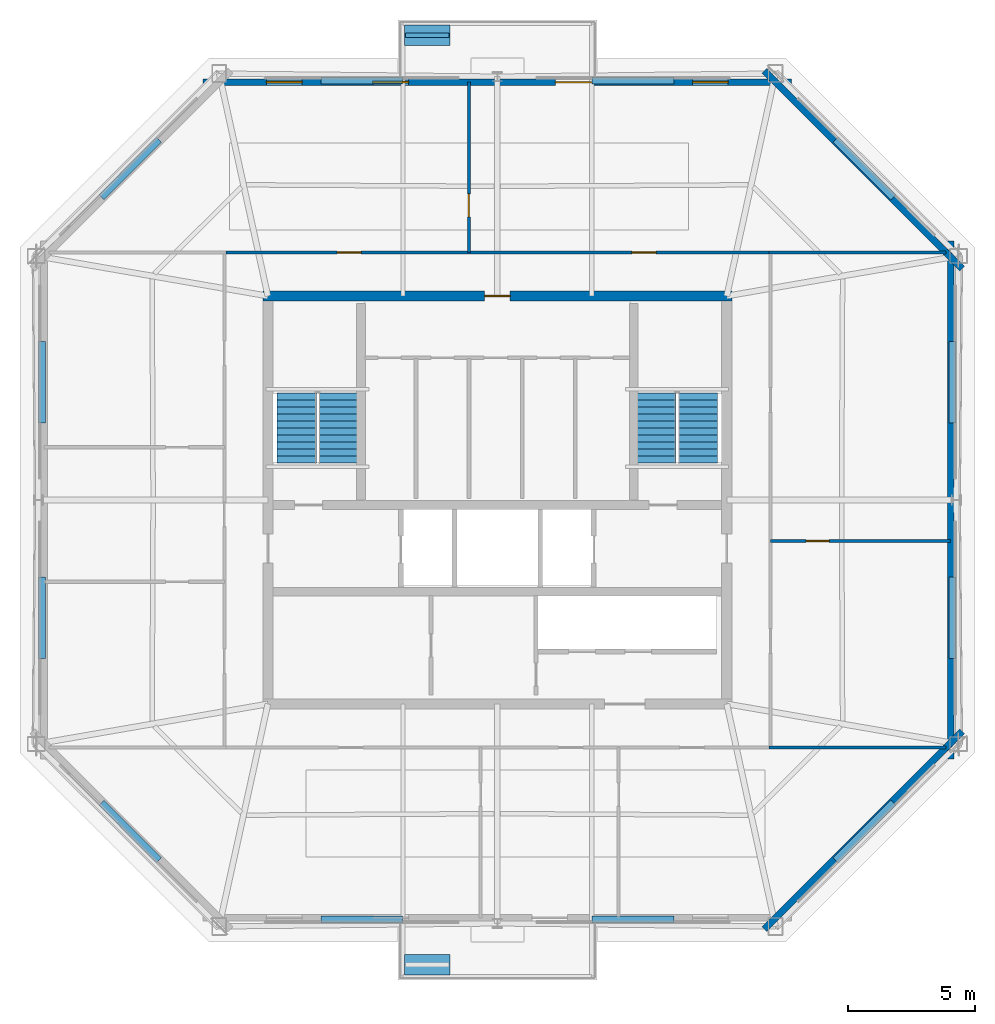
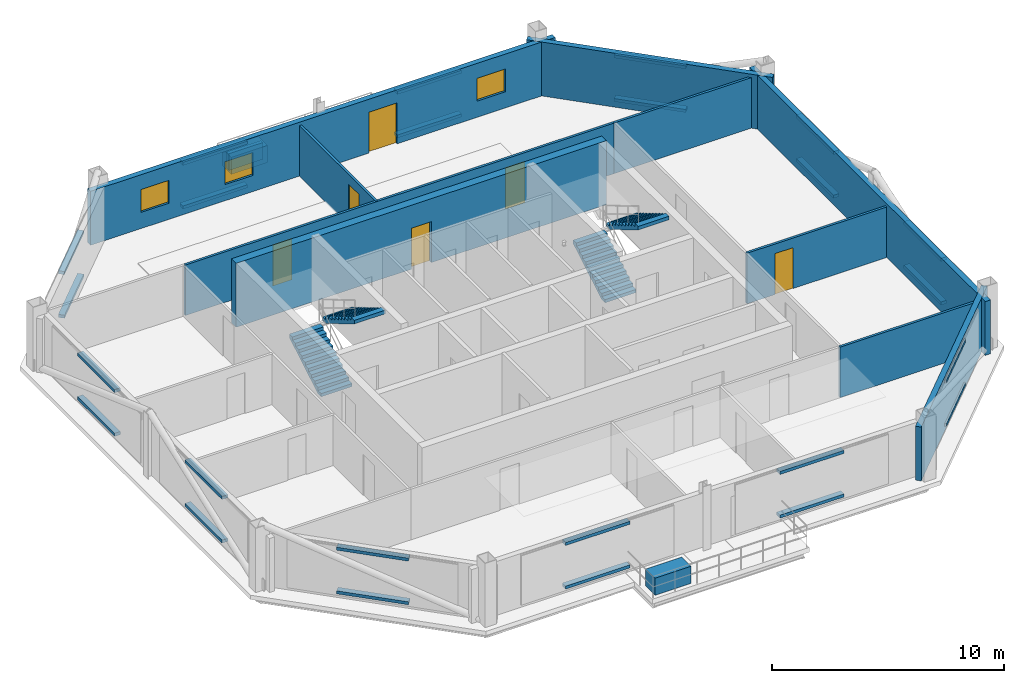
# One storey, part 4 of 6: 26 discrete accessories, 11 walls, 6 doors, 4 stair flights, 3 windows, 9 openings, 2 elements without a shape of their own.
"""IFC4 building model written with IfcOpenShell, lengths in metres."""

import ifcopenshell
import ifcopenshell.guid

model = None  # the IFC model being written
_history = None  # IfcOwnerHistory: only IFC2X3 demands one
_inside = {}  # id of a spatial element -> (the spatial element, [elements in it])
_under = {}  # id of a project, library or spatial element -> (it, [spatial elements below it])
_declared = {}  # id of a project -> (the project, [libraries it declares])
_typed = {}  # id of a type object -> (the type object, [elements of that type])
_made_of = {}  # id of a material, layer set ... -> (it, [elements and type objects made of it])


def new_model(schema):
    """Start an empty IFC model of exactly this schema.

    Asked for "IFC4X3", IfcOpenShell would pick the latest addendum, in which some entities
    have other attributes; the version numbers below select the first issue.
    IFC2X3 requires an IfcOwnerHistory on every rooted entity: one is made here for all.
    """
    global model, _history
    if schema == "IFC4X3":
        model = ifcopenshell.file(schema_version=(4, 3, 0, 0))
    else:
        model = ifcopenshell.file(schema=schema)
    _inside.clear()
    _under.clear()
    _declared.clear()
    _typed.clear()
    _made_of.clear()
    _history = None
    if model.schema == "IFC2X3":
        org = make("IfcOrganization", Name="unknown")
        user = make(
            "IfcPersonAndOrganization",
            ThePerson=make("IfcPerson", FamilyName="unknown"),
            TheOrganization=org,
        )
        app = make(
            "IfcApplication",
            ApplicationDeveloper=org,
            Version="unknown",
            ApplicationFullName="unknown",
            ApplicationIdentifier="unknown",
        )
        _history = make(
            "IfcOwnerHistory",
            OwningUser=user,
            OwningApplication=app,
            ChangeAction="ADDED",
            CreationDate=0,
        )
    return model


def make(cls, **values):
    """One entity of the class cls with the attributes given. An attribute that is None is left unset."""
    return model.create_entity(
        cls, **{name: value for name, value in values.items() if value is not None}
    )


def rooted(cls, **values):
    """An entity with a GlobalId (a new one), such as an element, a storey or a relation."""
    return make(cls, GlobalId=ifcopenshell.guid.new(), OwnerHistory=_history, **values)


def si_unit(unit_type, name, prefix=None):
    """IfcSIUnit, for example si_unit("LENGTHUNIT", "METRE", prefix="MILLI")."""
    return make("IfcSIUnit", UnitType=unit_type, Prefix=prefix, Name=name)


def assignment(units):
    """IfcUnitAssignment: the units of a project."""
    return None if units is None else make("IfcUnitAssignment", Units=units)


def point(xyz):
    """IfcCartesianPoint."""
    return None if xyz is None else make("IfcCartesianPoint", Coordinates=xyz)


def direction(xyz):
    """IfcDirection."""
    return None if xyz is None else make("IfcDirection", DirectionRatios=xyz)


def frame(location, z_axis=None, x_axis=None):
    """IfcAxis2Placement3D, a coordinate frame: its origin and axes. An axis left out is left unset."""
    return make(
        "IfcAxis2Placement3D",
        Location=point(location),
        Axis=direction(z_axis),
        RefDirection=direction(x_axis),
    )


def frame_2d(location, x_axis=None):
    """IfcAxis2Placement2D, a coordinate frame in the plane: its origin and x axis."""
    return make(
        "IfcAxis2Placement2D", Location=point(location), RefDirection=direction(x_axis)
    )


def origin():
    """The frame at (0, 0, 0) with its axes left unset."""
    return frame((0.0, 0.0, 0.0))


def origin_2d():
    """The frame at (0, 0) in the plane with its x axis left unset."""
    return frame_2d((0.0, 0.0))


def place(relative_to, where):
    """IfcLocalPlacement: puts the frame where relative to a parent placement (None: the world)."""
    return make(
        "IfcLocalPlacement", PlacementRelTo=relative_to, RelativePlacement=where
    )


def context(
    kind, dimensions, precision=None, world=None, true_north=None, identifier=None
):
    """IfcGeometricRepresentationContext, for example the 3D "Model" context."""
    return make(
        "IfcGeometricRepresentationContext",
        ContextIdentifier=identifier,
        ContextType=kind,
        CoordinateSpaceDimension=dimensions,
        Precision=precision,
        WorldCoordinateSystem=world,
        TrueNorth=true_north,
    )


def subcontext(parent, identifier, kind, view, scale=None):
    """IfcGeometricRepresentationSubContext, for example "Body" below "Model"."""
    return make(
        "IfcGeometricRepresentationSubContext",
        ContextIdentifier=identifier,
        ContextType=kind,
        ParentContext=parent,
        TargetScale=scale,
        TargetView=view,
    )


def project(units=None, contexts=None):
    """IfcProject with its units and contexts."""
    return rooted(
        "IfcProject",
        Name="project",
        RepresentationContexts=contexts,
        UnitsInContext=assignment(units),
    )


def spatial(cls, under=None, at=None, **own):
    """A site, building, storey or space (cls), placed at a placement, below another one or the project."""
    s = rooted(cls, ObjectPlacement=at, **own)
    if under is not None:
        _under.setdefault(under.id(), (under, []))[1].append(s)
    return s


def polyline(points):
    """IfcPolyline through the points."""
    return make("IfcPolyline", Points=[point(p) for p in points])


def profile(cls, at=None, kind="AREA", **sizes):
    """A parametric profile (cls). Its sizes go by their IFC names, for example OverallWidth=200.0."""
    return make(cls, ProfileType=kind, Position=at, **sizes)


def rectangle(**sizes):
    """IfcRectangleProfileDef."""
    return profile("IfcRectangleProfileDef", **sizes)


def outline(outer, holes=None, kind="AREA"):
    """IfcArbitraryClosedProfileDef: a profile drawn as a closed curve; with holes, ...WithVoids."""
    if holes is None:
        return make("IfcArbitraryClosedProfileDef", ProfileType=kind, OuterCurve=outer)
    return make(
        "IfcArbitraryProfileDefWithVoids",
        ProfileType=kind,
        OuterCurve=outer,
        InnerCurves=holes,
    )


def extrude(swept, where, along, depth):
    """IfcExtrudedAreaSolid: the profile swept, set in the frame where, extruded along a direction by depth."""
    return make(
        "IfcExtrudedAreaSolid",
        SweptArea=swept,
        Position=where,
        ExtrudedDirection=direction(along),
        Depth=depth,
    )


def shape(context_of_items, identifier, shape_type, items):
    """IfcShapeRepresentation: the items that make up one representation, for example the "Body"."""
    return make(
        "IfcShapeRepresentation",
        ContextOfItems=context_of_items,
        RepresentationIdentifier=identifier,
        RepresentationType=shape_type,
        Items=items,
    )


def material(Name=None, Category=None):
    """IfcMaterial."""
    return make("IfcMaterial", Name=Name, Category=Category)


def layer(
    of_material, thickness, ventilated=None, Name=None, Category=None, Priority=None
):
    """IfcMaterialLayer: one layer of a wall or slab, of a material (None: an air gap)."""
    return make(
        "IfcMaterialLayer",
        Material=of_material,
        LayerThickness=thickness,
        IsVentilated=ventilated,
        Name=Name,
        Category=Category,
        Priority=Priority,
    )


def layer_set(layers, Name=None):
    """IfcMaterialLayerSet."""
    return make("IfcMaterialLayerSet", MaterialLayers=layers, LayerSetName=Name)


def made_of(thing, what):
    """Note that an element or type object is made of a material, layer set ...; save() writes the relation."""
    if what is not None:
        _made_of.setdefault(what.id(), (what, []))[1].append(thing)
    return thing


def type_object(cls, material=None, **own):
    """A type object (cls), such as IfcWallType, which elements share."""
    return made_of(rooted(cls, **own), material)


def element(
    cls,
    number,
    at=None,
    inside=None,
    cuts=None,
    type_object=None,
    material=None,
    context=None,
    identifier="Body",
    shape_type=None,
    held_by="IfcProductDefinitionShape",
    body=None,
    shapes=None,
    **own,
):
    """One element of the class cls, such as IfcWall. Its Tag is "e" and its number.

    at: its placement. inside: the storey or other place that contains it. cuts: it is an
    opening in that element (IfcRelVoidsElement). A single representation is given by context,
    identifier, shape_type and body (its items); several are given by shapes. held_by: the class
    of the entity that holds the representations. save() writes the other relations.
    """
    e = rooted(cls, Tag="e%d" % number, ObjectPlacement=at, **own)
    if body is not None:
        shapes = [shape(context, identifier, shape_type, body)]
    if shapes is not None:
        e.Representation = make(held_by, Representations=shapes)
    if inside is not None:
        _inside.setdefault(inside.id(), (inside, []))[1].append(e)
    if cuts is not None:
        rooted(
            "IfcRelVoidsElement", RelatingBuildingElement=cuts, RelatedOpeningElement=e
        )
    if type_object is not None:
        _typed.setdefault(type_object.id(), (type_object, []))[1].append(e)
    return made_of(e, material)


def fill(opening, filler):
    """IfcRelFillsElement: the door or window that sits in an opening."""
    return rooted(
        "IfcRelFillsElement",
        RelatingOpeningElement=opening,
        RelatedBuildingElement=filler,
    )


def aggregate(whole, parts):
    """IfcRelAggregates: a whole, such as a stair, and the parts it consists of."""
    return rooted("IfcRelAggregates", RelatingObject=whole, RelatedObjects=parts)


def save(model, path):
    """Write the relations noted so far, then the file.

    IfcRelAggregates (storeys below a building ...), IfcRelContainedInSpatialStructure (elements
    in a storey), IfcRelDefinesByType, IfcRelAssociatesMaterial and IfcRelDeclares: one each for
    every whole, place, type object, material and project.
    """
    for whole, parts in _under.values():
        aggregate(whole, parts)
    for where, things in _inside.values():
        rooted(
            "IfcRelContainedInSpatialStructure",
            RelatedElements=things,
            RelatingStructure=where,
        )
    for kind, things in _typed.values():
        rooted("IfcRelDefinesByType", RelatedObjects=things, RelatingType=kind)
    for what, things in _made_of.values():
        rooted("IfcRelAssociatesMaterial", RelatedObjects=things, RelatingMaterial=what)
    for by, libraries in _declared.values():
        rooted("IfcRelDeclares", RelatingContext=by, RelatedDefinitions=libraries)
    model.write(path)


model = new_model("IFC4")

# Units and contexts
model_context = context("Model", 3, precision=1e-05, world=origin(), true_north=direction((0.0, 1.0)))
body_context = subcontext(model_context, "Body", "Model", "MODEL_VIEW")
ifc_project = project(units=[si_unit("LENGTHUNIT", "METRE"), si_unit("AREAUNIT", "SQUARE_METRE"), si_unit("VOLUMEUNIT", "CUBIC_METRE"), si_unit("PLANEANGLEUNIT", "RADIAN"), si_unit("MASSUNIT", "GRAM", prefix="KILO")], contexts=[model_context])

# Site, building, storey
site_placement = place(None, origin())
site = spatial("IfcSite", under=ifc_project, at=site_placement, CompositionType="ELEMENT")
building_placement = place(site_placement, origin())
building = spatial("IfcBuilding", under=site, at=building_placement, Name="Caelvoria Tower", CompositionType="ELEMENT")
storey_placement = place(building_placement, frame((0.0, 0.0, 261.0)))
storey = spatial("IfcBuildingStorey", under=building, at=storey_placement, Name="L69", CompositionType="ELEMENT", Elevation=261.0)

# Wall
ifc_material_1 = material(Name="Bronze-Clad Concrete C40/50", Category="concrete")
ifc_layer_1 = layer(ifc_material_1, 0.179931640625, Name="Bronze-Clad Concrete C40/50")
ifc_layer_set_1 = layer_set([ifc_layer_1], Name="Architectural Planter Kerb Wall 180 - Bronze-Clad Concrete C40/50")
wall_type_1 = type_object("IfcWallType", Name="Architectural Planter Kerb Wall 180", PredefinedType="PARAPET", material=ifc_layer_set_1)
wall_1_placement = place(storey_placement, frame((42.39990234375, 50.227294921875, 0.0), z_axis=(0.0, 0.0, 1.0), x_axis=(1.0, 0.0, 0.0)))
element("IfcWall", 1, at=wall_1_placement, inside=storey, type_object=wall_type_1, Name="Tree Balcony Planter Kerb PLANTER TB-L69-N", PredefinedType="PARAPET", context=body_context, shape_type="SweptSolid", body=[
    extrude(rectangle(XDim=1.7001953125, YDim=0.179931640625, at=frame_2d((0.85009765625, 0.0))), origin(), (0.0, 0.0, 1.0), 0.8798828125),
])

# Wall, opening, door
ifc_material_2 = material(Name="Concrete C50/60", Category="concrete")
ifc_layer_2 = layer(ifc_material_2, 0.39990234375, Name="Concrete C50/60")
ifc_layer_set_2 = layer_set([ifc_layer_2], Name="Summit Core Shear Wall 400 - Concrete C50/60")
wall_type_2 = type_object("IfcWallType", Name="Summit Core Shear Wall 400", PredefinedType="SHEAR", material=ifc_layer_set_2)
wall_2_placement = place(storey_placement, frame((36.800048828125, 40.0, 0.0), z_axis=(0.0, 0.0, 1.0), x_axis=(1.0, 0.0, 0.0)))
wall_2 = element("IfcWall", 2, at=wall_2_placement, inside=storey, type_object=wall_type_2, Name="Core Shear Wall L69 N", PredefinedType="SHEAR", context=body_context, shape_type="SweptSolid", body=[
    extrude(rectangle(XDim=18.39990234375, YDim=0.39990234375, at=frame_2d((9.199951171875, 0.0))), origin(), (0.0, 0.0, 1.0), 3.360107421875),
])
opening_1_placement = place(wall_2_placement, frame((8.699951171875, 0.0, 0.0)))
opening_1 = element("IfcOpeningElement", 3, at=opening_1_placement, cuts=wall_2, Name="Opening ID-03", PredefinedType="OPENING", context=body_context, shape_type="SweptSolid", body=[
    extrude(rectangle(XDim=1.0, YDim=2.14990234375, at=frame_2d((0.5, 1.074951171875))), frame((0.0, 0.2099609375, 0.0), z_axis=(0.0, -1.0, 0.0), x_axis=(1.0, 0.0, 0.0)), (0.0, 0.0, 1.0), 0.419921875),
])
ifc_material_3 = material(Name="Painted Hollow Steel Fire Door", Category="steel")
door_type_1 = type_object("IfcDoorType", Name="Fire Door FD60S 1000x2150", OperationType="NOTDEFINED", PredefinedType="DOOR", material=ifc_material_3)
door_1_placement = place(opening_1_placement, origin())
door_1 = element("IfcDoor", 4, at=door_1_placement, inside=storey, type_object=door_type_1, Name="Core Door DR-L69-WC-MAIN", OperationType="SINGLE_SWING_RIGHT", OverallHeight=2.14990234375, OverallWidth=1.0, PredefinedType="DOOR", context=body_context, shape_type="SweptSolid", body=[
    extrude(rectangle(XDim=1.0, YDim=2.14990234375, at=frame_2d((0.5, 1.074951171875))), frame((0.0, 0.02490234375, 0.0), z_axis=(0.0, -1.0, 0.0), x_axis=(1.0, 0.0, 0.0)), (0.0, 0.0, 1.0), 0.050048828125),
])
fill(opening_1, door_1)

ifc_material_4 = material(Name="Acoustic Gypsum Board on Light-Gauge Stud", Category="gypsum")
ifc_layer_3 = layer(ifc_material_4, 0.1201171875, Name="Acoustic Gypsum Board on Light-Gauge Stud")
ifc_layer_set_3 = layer_set([ifc_layer_3], Name="Tenant Suite Acoustic Partition Wall 120 - Acoustic Gypsum Board on Light-Gauge Stud")
wall_type_3 = type_object("IfcWallType", Name="Tenant Suite Acoustic Partition Wall 120", PredefinedType="PARTITIONING", material=ifc_layer_set_3)
wall_3_placement = place(storey_placement, frame((44.882080078125, 41.7099609375, 0.0), z_axis=(0.0, 0.0, 1.0), x_axis=(0.0, 1.0, 0.0)))
wall_3 = element("IfcWall", 5, at=wall_3_placement, inside=storey, type_object=wall_type_3, Name="Interior Partition IW-L69-ND-00-0", PredefinedType="PARTITIONING", context=body_context, shape_type="SweptSolid", body=[
    extrude(rectangle(XDim=6.67724609375, YDim=0.1201171875, at=frame_2d((3.338623046875, 0.0))), origin(), (0.0, 0.0, 1.0), 2.655029296875),
])
opening_2_placement = place(wall_3_placement, frame((1.39990234375, 0.0, 0.0)))
opening_2 = element("IfcOpeningElement", 6, at=opening_2_placement, cuts=wall_3, Name="Opening ID-06", PredefinedType="OPENING", context=body_context, shape_type="SweptSolid", body=[
    extrude(rectangle(XDim=0.89990234375, YDim=2.14990234375, at=frame_2d((0.449951171875, 1.074951171875))), frame((0.0, 0.070068359375, 0.0), z_axis=(0.0, -1.0, 0.0), x_axis=(1.0, 0.0, 0.0)), (0.0, 0.0, 1.0), 0.14013671875),
])
ifc_material_5 = material(Name="Engineered Andean Oak Veneer Door", Category="wood")
door_type_2 = type_object("IfcDoorType", Name="Interior Timber Door 900x2150", OperationType="NOTDEFINED", PredefinedType="DOOR", material=ifc_material_5)
door_2_placement = place(opening_2_placement, origin())
door_2 = element("IfcDoor", 7, at=door_2_placement, inside=storey, type_object=door_type_2, Name="Interior Door DR-L69-NM-00-0", OperationType="SINGLE_SWING_RIGHT", OverallHeight=2.14990234375, OverallWidth=0.89990234375, PredefinedType="DOOR", context=body_context, shape_type="SweptSolid", body=[
    extrude(rectangle(XDim=0.89990234375, YDim=2.14990234375, at=frame_2d((0.449951171875, 1.074951171875))), frame((0.0, 0.02490234375, 0.0), z_axis=(0.0, -1.0, 0.0), x_axis=(1.0, 0.0, 0.0)), (0.0, 0.0, 1.0), 0.050048828125),
])
fill(opening_2, door_2)

# Wall, openings, doors
wall_4_placement = place(storey_placement, frame((35.35009765625, 41.7099609375, 0.0), z_axis=(0.0, 0.0, 1.0), x_axis=(1.0, 0.0, 0.0)))
wall_4 = element("IfcWall", 8, at=wall_4_placement, inside=storey, type_object=wall_type_3, Name="Interior Partition IW-L69-NCW-0", PredefinedType="PARTITIONING", context=body_context, shape_type="SweptSolid", body=[
    extrude(rectangle(XDim=21.2998046875, YDim=0.1201171875, at=frame_2d((10.64990234375, 0.0))), origin(), (0.0, 0.0, 1.0), 2.655029296875),
])
opening_3_placement = place(wall_4_placement, frame((4.361083984375, 0.0, 0.0)))
opening_3 = element("IfcOpeningElement", 9, at=opening_3_placement, cuts=wall_4, Name="Opening ID-05", PredefinedType="OPENING", context=body_context, shape_type="SweptSolid", body=[
    extrude(rectangle(XDim=0.949951171875, YDim=2.14990234375, at=frame_2d((0.47509765625, 1.074951171875))), frame((0.0, 0.070068359375, 0.0), z_axis=(0.0, -1.0, 0.0), x_axis=(1.0, 0.0, 0.0)), (0.0, 0.0, 1.0), 0.14013671875),
])
opening_4_placement = place(wall_4_placement, frame((15.925048828125, 0.0, 0.0)))
opening_4 = element("IfcOpeningElement", 10, at=opening_4_placement, cuts=wall_4, Name="Opening ID-05", PredefinedType="OPENING", context=body_context, shape_type="SweptSolid", body=[
    extrude(rectangle(XDim=0.949951171875, YDim=2.14990234375, at=frame_2d((0.47509765625, 1.074951171875))), frame((0.0, 0.070068359375, 0.0), z_axis=(0.0, -1.0, 0.0), x_axis=(1.0, 0.0, 0.0)), (0.0, 0.0, 1.0), 0.14013671875),
])
door_type_3 = type_object("IfcDoorType", Name="Interior Timber Door 950x2150", OperationType="NOTDEFINED", PredefinedType="DOOR", material=ifc_material_5)
door_3_placement = place(opening_3_placement, origin())
door_3 = element("IfcDoor", 11, at=door_3_placement, inside=storey, type_object=door_type_3, Name="Interior Door DR-L69-NC-00-0", OperationType="SINGLE_SWING_RIGHT", OverallHeight=2.14990234375, OverallWidth=0.949951171875, PredefinedType="DOOR", context=body_context, shape_type="SweptSolid", body=[
    extrude(rectangle(XDim=0.949951171875, YDim=2.14990234375, at=frame_2d((0.47509765625, 1.074951171875))), frame((0.0, 0.02490234375, 0.0), z_axis=(0.0, -1.0, 0.0), x_axis=(1.0, 0.0, 0.0)), (0.0, 0.0, 1.0), 0.050048828125),
])
fill(opening_3, door_3)
door_4_placement = place(opening_4_placement, origin())
door_4 = element("IfcDoor", 12, at=door_4_placement, inside=storey, type_object=door_type_3, Name="Interior Door DR-L69-NC-01-0", OperationType="SINGLE_SWING_LEFT", OverallHeight=2.14990234375, OverallWidth=0.949951171875, PredefinedType="DOOR", context=body_context, shape_type="SweptSolid", body=[
    extrude(rectangle(XDim=0.949951171875, YDim=2.14990234375, at=frame_2d((0.47509765625, 1.074951171875))), frame((0.0, 0.02490234375, 0.0), z_axis=(0.0, -1.0, 0.0), x_axis=(1.0, 0.0, 0.0)), (0.0, 0.0, 1.0), 0.050048828125),
])
fill(opening_4, door_4)

# Wall, opening, door
wall_5_placement = place(storey_placement, frame((56.7099609375, 30.392333984375, 0.0), z_axis=(0.0, 0.0, 1.0), x_axis=(1.0, 0.0, 0.0)))
wall_5 = element("IfcWall", 13, at=wall_5_placement, inside=storey, type_object=wall_type_3, Name="Interior Partition IW-L69-ED-00-0", PredefinedType="PARTITIONING", context=body_context, shape_type="SweptSolid", body=[
    extrude(rectangle(XDim=7.07275390625, YDim=0.1201171875, at=frame_2d((3.536376953125, 0.0))), origin(), (0.0, 0.0, 1.0), 2.655029296875),
])
opening_5_placement = place(wall_5_placement, frame((1.39990234375, 0.0, 0.0)))
opening_5 = element("IfcOpeningElement", 14, at=opening_5_placement, cuts=wall_5, Name="Opening ID-06", PredefinedType="OPENING", context=body_context, shape_type="SweptSolid", body=[
    extrude(rectangle(XDim=0.89990234375, YDim=2.14990234375, at=frame_2d((0.449951171875, 1.074951171875))), frame((0.0, 0.070068359375, 0.0), z_axis=(0.0, -1.0, 0.0), x_axis=(1.0, 0.0, 0.0)), (0.0, 0.0, 1.0), 0.14013671875),
])
door_5_placement = place(opening_5_placement, origin())
door_5 = element("IfcDoor", 15, at=door_5_placement, inside=storey, type_object=door_type_2, Name="Interior Door DR-L69-EM-00-0", OperationType="SINGLE_SWING_RIGHT", OverallHeight=2.14990234375, OverallWidth=0.89990234375, PredefinedType="DOOR", context=body_context, shape_type="SweptSolid", body=[
    extrude(rectangle(XDim=0.89990234375, YDim=2.14990234375, at=frame_2d((0.449951171875, 1.074951171875))), frame((0.0, 0.02490234375, 0.0), z_axis=(0.0, -1.0, 0.0), x_axis=(1.0, 0.0, 0.0)), (0.0, 0.0, 1.0), 0.050048828125),
])
fill(opening_5, door_5)

# Walls
for number, where, z_axis, x_axis, name in (
    (16, (56.64990234375, 22.2900390625, 0.0), (0.0, 0.0, 1.0), (1.0, 0.0, 0.0), "Interior Partition IW-L69-BSE-0"),
    (17, (56.64990234375, 41.7099609375, 0.0), (0.0, 0.0, 1.0), (1.0, 0.0, 0.0), "Interior Partition IW-L69-BNE-0"),
):
    element("IfcWall", number, at=place(storey_placement, frame(where, z_axis=z_axis, x_axis=x_axis)), inside=storey, type_object=wall_type_3, Name=name, PredefinedType="PARTITIONING", context=body_context, shape_type="SweptSolid", body=[
        extrude(rectangle(XDim=6.9423828125, YDim=0.1201171875, at=frame_2d((3.47119140625, 0.0))), origin(), (0.0, 0.0, 1.0), 2.655029296875),
    ])
ifc_material_6 = material(Name="Precast Concrete C40/50 with Bronze Cladding", Category="concrete")
ifc_layer_4 = layer(ifc_material_6, 0.264892578125, Name="Precast Concrete C40/50 with Bronze Cladding")
ifc_layer_set_4 = layer_set([ifc_layer_4], Name="Upper Taper Precast Concrete C40/50 Bronze Facade Wall 265 - Precast Concrete C40/50 with Bronze Cladding")
wall_type_4 = type_object("IfcWallType", Name="Upper Taper Precast Concrete C40/50 Bronze Facade Wall 265", PredefinedType="STANDARD", material=ifc_layer_set_4)
wall_6_placement = place(storey_placement, frame((56.47021484375, 15.167724609375, 0.0), z_axis=(0.0, 0.0, 1.0), x_axis=(0.707106781187, 0.707106781187, 0.0)))
element("IfcWall", 18, at=wall_6_placement, inside=storey, type_object=wall_type_4, Name="Exterior Facade Wall L69-E1", PredefinedType="STANDARD", context=body_context, shape_type="SweptSolid", body=[
    extrude(rectangle(XDim=10.970947265625, YDim=0.264892578125, at=frame_2d((5.4853515625, 0.0))), origin(), (0.0, 0.0, 1.0), 2.83203125),
])
wall_7_placement = place(storey_placement, frame((63.78271484375, 21.850830078125, 0.0), z_axis=(0.0, 0.0, 1.0), x_axis=(0.0, 1.0, 0.0)))
element("IfcWall", 19, at=wall_7_placement, inside=storey, type_object=wall_type_4, Name="Exterior Facade Wall L69-E2", PredefinedType="STANDARD", context=body_context, shape_type="SweptSolid", body=[
    extrude(rectangle(XDim=20.29833984375, YDim=0.264892578125, at=frame_2d((10.149169921875, 0.0))), origin(), (0.0, 0.0, 1.0), 2.83203125),
])
wall_8_placement = place(storey_placement, frame((64.227783203125, 41.07470703125, 0.0), z_axis=(0.0, 0.0, 1.0), x_axis=(-0.707106781187, 0.707106781187, 0.0)))
element("IfcWall", 20, at=wall_8_placement, inside=storey, type_object=wall_type_4, Name="Exterior Facade Wall L69-E3", PredefinedType="STANDARD", context=body_context, shape_type="SweptSolid", body=[
    extrude(rectangle(XDim=10.970947265625, YDim=0.264892578125, at=frame_2d((5.4853515625, 0.0))), origin(), (0.0, 0.0, 1.0), 2.83203125),
])

# Wall, openings, windows, door
wall_9_placement = place(storey_placement, frame((57.54443359375, 48.38720703125, 0.0), z_axis=(0.0, 0.0, 1.0), x_axis=(-1.0, 0.0, 0.0)))
wall_9 = element("IfcWall", 21, at=wall_9_placement, inside=storey, type_object=wall_type_4, Name="Exterior Facade Wall L69-E4", PredefinedType="STANDARD", context=body_context, shape_type="SweptSolid", body=[
    extrude(rectangle(XDim=23.0888671875, YDim=0.264892578125, at=frame_2d((11.54443359375, 0.0))), origin(), (0.0, 0.0, 1.0), 2.83203125),
])
opening_6_placement = place(wall_9_placement, frame((7.864501953125, 0.0, 0.0)))
opening_6 = element("IfcOpeningElement", 22, at=opening_6_placement, cuts=wall_9, Name="Opening ED-04", PredefinedType="OPENING", context=body_context, shape_type="SweptSolid", body=[
    extrude(rectangle(XDim=1.39990234375, YDim=2.14990234375, at=frame_2d((0.699951171875, 1.074951171875))), frame((0.0, 0.142333984375, 0.0), z_axis=(0.0, -1.0, 0.0), x_axis=(1.0, 0.0, 0.0)), (0.0, 0.0, 1.0), 0.284912109375),
])
opening_7_placement = place(wall_9_placement, frame((2.489013671875, 0.0, 0.85009765625)))
opening_7 = element("IfcOpeningElement", 23, at=opening_7_placement, cuts=wall_9, Name="Opening WN-06", PredefinedType="OPENING", context=body_context, shape_type="SweptSolid", body=[
    extrude(rectangle(XDim=1.39990234375, YDim=1.199951171875, at=frame_2d((0.699951171875, 0.60009765625))), frame((0.0, 0.142333984375, 0.0), z_axis=(0.0, -1.0, 0.0), x_axis=(1.0, 0.0, 0.0)), (0.0, 0.0, 1.0), 0.284912109375),
])
opening_8_placement = place(wall_9_placement, frame((15.022216796875, 0.0, 0.85009765625)))
opening_8 = element("IfcOpeningElement", 24, at=opening_8_placement, cuts=wall_9, Name="Opening WN-06", PredefinedType="OPENING", context=body_context, shape_type="SweptSolid", body=[
    extrude(rectangle(XDim=1.39990234375, YDim=1.199951171875, at=frame_2d((0.699951171875, 0.60009765625))), frame((0.0, 0.142333984375, 0.0), z_axis=(0.0, -1.0, 0.0), x_axis=(1.0, 0.0, 0.0)), (0.0, 0.0, 1.0), 0.284912109375),
])
opening_9_placement = place(wall_9_placement, frame((19.2001953125, 0.0, 0.85009765625)))
opening_9 = element("IfcOpeningElement", 25, at=opening_9_placement, cuts=wall_9, Name="Opening WN-06", PredefinedType="OPENING", context=body_context, shape_type="SweptSolid", body=[
    extrude(rectangle(XDim=1.39990234375, YDim=1.199951171875, at=frame_2d((0.699951171875, 0.60009765625))), frame((0.0, 0.142333984375, 0.0), z_axis=(0.0, -1.0, 0.0), x_axis=(1.0, 0.0, 0.0)), (0.0, 0.0, 1.0), 0.284912109375),
])
ifc_material_7 = material(Name="Low-E Tinted Glass in Bronze Aluminium Frame", Category="aluminium")
window_type = type_object("IfcWindowType", Name="Podium Clerestory Window 1400x1200", PartitioningType="SINGLE_PANEL", PredefinedType="WINDOW", material=ifc_material_7)
window_1_placement = place(opening_7_placement, origin())
window_1 = element("IfcWindow", 26, at=window_1_placement, inside=storey, type_object=window_type, Name="Facade Window L69-E4-00", OverallHeight=1.199951171875, OverallWidth=1.39990234375, PartitioningType="SINGLE_PANEL", PredefinedType="WINDOW", context=body_context, shape_type="SweptSolid", body=[
    extrude(rectangle(XDim=1.39990234375, YDim=1.199951171875, at=frame_2d((0.699951171875, 0.60009765625))), frame((0.0, 0.030029296875, 0.0), z_axis=(0.0, -1.0, 0.0), x_axis=(1.0, 0.0, 0.0)), (0.0, 0.0, 1.0), 0.06005859375),
])
fill(opening_7, window_1)
window_2_placement = place(opening_8_placement, origin())
window_2 = element("IfcWindow", 27, at=window_2_placement, inside=storey, type_object=window_type, Name="Facade Window L69-E4-03", OverallHeight=1.199951171875, OverallWidth=1.39990234375, PartitioningType="SINGLE_PANEL", PredefinedType="WINDOW", context=body_context, shape_type="SweptSolid", body=[
    extrude(rectangle(XDim=1.39990234375, YDim=1.199951171875, at=frame_2d((0.699951171875, 0.60009765625))), frame((0.0, 0.030029296875, 0.0), z_axis=(0.0, -1.0, 0.0), x_axis=(1.0, 0.0, 0.0)), (0.0, 0.0, 1.0), 0.06005859375),
])
fill(opening_8, window_2)
window_3_placement = place(opening_9_placement, origin())
window_3 = element("IfcWindow", 28, at=window_3_placement, inside=storey, type_object=window_type, Name="Facade Window L69-E4-04", OverallHeight=1.199951171875, OverallWidth=1.39990234375, PartitioningType="SINGLE_PANEL", PredefinedType="WINDOW", context=body_context, shape_type="SweptSolid", body=[
    extrude(rectangle(XDim=1.39990234375, YDim=1.199951171875, at=frame_2d((0.699951171875, 0.60009765625))), frame((0.0, 0.030029296875, 0.0), z_axis=(0.0, -1.0, 0.0), x_axis=(1.0, 0.0, 0.0)), (0.0, 0.0, 1.0), 0.06005859375),
])
fill(opening_9, window_3)
ifc_material_8 = material(Name="Anodised Bronze Aluminium and Laminated Glass", Category="aluminium")
door_type_4 = type_object("IfcDoorType", Name="Tree Balcony Glazed Door 1400x2150", OperationType="NOTDEFINED", PredefinedType="DOOR", material=ifc_material_8)
door_6_placement = place(opening_6_placement, origin())
door_6 = element("IfcDoor", 29, at=door_6_placement, inside=storey, type_object=door_type_4, Name="Tree Balcony Door L69-N", OperationType="SINGLE_SWING_RIGHT", OverallHeight=2.14990234375, OverallWidth=1.39990234375, PredefinedType="DOOR", context=body_context, shape_type="SweptSolid", body=[
    extrude(rectangle(XDim=1.39990234375, YDim=2.14990234375, at=frame_2d((0.699951171875, 1.074951171875))), frame((0.0, 0.02490234375, 0.0), z_axis=(0.0, -1.0, 0.0), x_axis=(1.0, 0.0, 0.0)), (0.0, 0.0, 1.0), 0.050048828125),
])
fill(opening_6, door_6)

# Stair, stair flights
ifc_material_9 = material(Name="Concrete C40/50", Category="concrete")
stair_type = type_object("IfcStairType", Name="Core Smokeproof Dogleg Stair Concrete C40/50", PredefinedType="HALF_TURN_STAIR", material=ifc_material_9)
stair_1_placement = place(storey_placement, origin())
stair_1 = element("IfcStair", 30, at=stair_1_placement, inside=storey, type_object=stair_type, Name="ST-01 Smokeproof Exit Stair L69", PredefinedType="HALF_TURN_STAIR")
ifc_material_10 = material(Name="Precast Concrete C40/50", Category="concrete")
stair_flight_type = type_object("IfcStairFlightType", Name="Precast Concrete C40/50 Stair Flight 1480", PredefinedType="STRAIGHT", material=ifc_material_10)
stair_flight_1_placement = place(storey_placement, frame((38.1298828125, 33.449951171875, 0.0), z_axis=(0.0, 0.0, 1.0), x_axis=(0.0, 1.0, 0.0)))
stair_flight_1 = element("IfcStairFlight", 31, at=stair_flight_1_placement, type_object=stair_flight_type, Name="ST-01 flight 1", NumberOfRisers=11, NumberOfTreads=10, PredefinedType="STRAIGHT", RiserHeight=0.1636, TreadLength=0.275, context=body_context, shape_type="SweptSolid", body=[
    extrude(outline(polyline([(0.0, 0.0), (0.0, 0.16357421875), (0.27490234375, 0.16357421875), (0.27490234375, 0.3271484375), (0.550048828125, 0.3271484375), (0.550048828125, 0.49072265625), (0.824951171875, 0.49072265625), (0.824951171875, 0.654296875), (1.10009765625, 0.654296875), (1.10009765625, 0.818115234375), (1.375, 0.818115234375), (1.375, 0.981689453125), (1.64990234375, 0.981689453125), (1.64990234375, 1.145263671875), (1.925048828125, 1.145263671875), (1.925048828125, 1.308837890625), (2.199951171875, 1.308837890625), (2.199951171875, 1.472412109375), (2.47509765625, 1.472412109375), (2.47509765625, 1.635986328125), (2.75, 1.635986328125), (2.75, 1.799560546875), (2.75, 1.449951171875), (0.312744140625, 0.0), (0.0, 0.0)])), frame((0.0, 0.77001953125, 0.0), z_axis=(0.0, -1.0, 0.0), x_axis=(1.0, 0.0, 0.0)), (0.0, 0.0, 1.0), 1.5400390625),
])
stair_flight_2_placement = place(storey_placement, frame((39.77001953125, 36.199951171875, 1.800048828125), z_axis=(0.0, 0.0, 1.0), x_axis=(0.0, -1.0, 0.0)))
stair_flight_2 = element("IfcStairFlight", 32, at=stair_flight_2_placement, type_object=stair_flight_type, Name="ST-01 flight 2", NumberOfRisers=11, NumberOfTreads=10, PredefinedType="STRAIGHT", RiserHeight=0.1636, TreadLength=0.275, context=body_context, shape_type="SweptSolid", body=[
    extrude(outline(polyline([(0.0, 0.0), (0.0, 0.16357421875), (0.27490234375, 0.16357421875), (0.27490234375, 0.3271484375), (0.550048828125, 0.3271484375), (0.550048828125, 0.49072265625), (0.824951171875, 0.49072265625), (0.824951171875, 0.654296875), (1.10009765625, 0.654296875), (1.10009765625, 0.818115234375), (1.375, 0.818115234375), (1.375, 0.981689453125), (1.64990234375, 0.981689453125), (1.64990234375, 1.145263671875), (1.925048828125, 1.145263671875), (1.925048828125, 1.308837890625), (2.199951171875, 1.308837890625), (2.199951171875, 1.472412109375), (2.47509765625, 1.472412109375), (2.47509765625, 1.635986328125), (2.75, 1.635986328125), (2.75, 1.799560546875), (2.75, 1.449951171875), (0.312744140625, 0.0), (0.0, 0.0)])), frame((0.0, 0.77001953125, 0.0), z_axis=(0.0, -1.0, 0.0), x_axis=(1.0, 0.0, 0.0)), (0.0, 0.0, 1.0), 1.5400390625),
])
aggregate(stair_1, [stair_flight_1, stair_flight_2])

stair_2_placement = place(storey_placement, origin())
stair_2 = element("IfcStair", 33, at=stair_2_placement, inside=storey, type_object=stair_type, Name="ST-02 Smokeproof Exit Stair L69", PredefinedType="HALF_TURN_STAIR")
stair_flight_3_placement = place(storey_placement, frame((52.22998046875, 33.449951171875, 0.0), z_axis=(0.0, 0.0, 1.0), x_axis=(0.0, 1.0, 0.0)))
stair_flight_3 = element("IfcStairFlight", 34, at=stair_flight_3_placement, type_object=stair_flight_type, Name="ST-02 flight 1", NumberOfRisers=11, NumberOfTreads=10, PredefinedType="STRAIGHT", RiserHeight=0.1636, TreadLength=0.275, context=body_context, shape_type="SweptSolid", body=[
    extrude(outline(polyline([(0.0, 0.0), (0.0, 0.16357421875), (0.27490234375, 0.16357421875), (0.27490234375, 0.3271484375), (0.550048828125, 0.3271484375), (0.550048828125, 0.49072265625), (0.824951171875, 0.49072265625), (0.824951171875, 0.654296875), (1.10009765625, 0.654296875), (1.10009765625, 0.818115234375), (1.375, 0.818115234375), (1.375, 0.981689453125), (1.64990234375, 0.981689453125), (1.64990234375, 1.145263671875), (1.925048828125, 1.145263671875), (1.925048828125, 1.308837890625), (2.199951171875, 1.308837890625), (2.199951171875, 1.472412109375), (2.47509765625, 1.472412109375), (2.47509765625, 1.635986328125), (2.75, 1.635986328125), (2.75, 1.799560546875), (2.75, 1.449951171875), (0.312744140625, 0.0), (0.0, 0.0)])), frame((0.0, 0.77001953125, 0.0), z_axis=(0.0, -1.0, 0.0), x_axis=(1.0, 0.0, 0.0)), (0.0, 0.0, 1.0), 1.5400390625),
])
stair_flight_4_placement = place(storey_placement, frame((53.8701171875, 36.199951171875, 1.800048828125), z_axis=(0.0, 0.0, 1.0), x_axis=(0.0, -1.0, 0.0)))
stair_flight_4 = element("IfcStairFlight", 35, at=stair_flight_4_placement, type_object=stair_flight_type, Name="ST-02 flight 2", NumberOfRisers=11, NumberOfTreads=10, PredefinedType="STRAIGHT", RiserHeight=0.1636, TreadLength=0.275, context=body_context, shape_type="SweptSolid", body=[
    extrude(outline(polyline([(0.0, 0.0), (0.0, 0.16357421875), (0.27490234375, 0.16357421875), (0.27490234375, 0.3271484375), (0.550048828125, 0.3271484375), (0.550048828125, 0.49072265625), (0.824951171875, 0.49072265625), (0.824951171875, 0.654296875), (1.10009765625, 0.654296875), (1.10009765625, 0.818115234375), (1.375, 0.818115234375), (1.375, 0.981689453125), (1.64990234375, 0.981689453125), (1.64990234375, 1.145263671875), (1.925048828125, 1.145263671875), (1.925048828125, 1.308837890625), (2.199951171875, 1.308837890625), (2.199951171875, 1.472412109375), (2.47509765625, 1.472412109375), (2.47509765625, 1.635986328125), (2.75, 1.635986328125), (2.75, 1.799560546875), (2.75, 1.449951171875), (0.312744140625, 0.0), (0.0, 0.0)])), frame((0.0, 0.77001953125, 0.0), z_axis=(0.0, -1.0, 0.0), x_axis=(1.0, 0.0, 0.0)), (0.0, 0.0, 1.0), 1.5400390625),
])
aggregate(stair_2, [stair_flight_3, stair_flight_4])

# Discrete accessories
ifc_material_11 = material(Name="Anodised Bronze Stainless Bracket", Category="bronze")
discrete_accessory_type_1 = type_object("IfcDiscreteAccessoryType", Name="Solar Screen Outrigger Support Bracket", PredefinedType="BRACKET", material=ifc_material_11)
for number, where, z_axis, x_axis, name in (
    (36, (40.677734375, 15.539794921875, 0.240234375), (0.0, 0.0, 1.0), (1.0, 0.0, 0.0), "Solar Screen Bracket L69-E0-00"),
    (37, (40.677734375, 15.539794921875, 2.5322265625), (0.0, 0.0, 1.0), (1.0, 0.0, 0.0), "Upper Screen Band Bracket L69-E0-00"),
    (38, (51.322265625, 15.539794921875, 0.240234375), (0.0, 0.0, 1.0), (1.0, 0.0, 0.0), "Solar Screen Bracket L69-E0-01"),
    (39, (51.322265625, 15.539794921875, 2.5322265625), (0.0, 0.0, 1.0), (1.0, 0.0, 0.0), "Upper Screen Band Bracket L69-E0-01"),
    (40, (60.400390625, 18.9951171875, 0.240234375), (0.0, 0.0, 1.0), (0.707106781187, 0.707106781187, 0.0), "Solar Screen Bracket L69-E1-00"),
    (41, (60.400390625, 18.9951171875, 2.5322265625), (0.0, 0.0, 1.0), (0.707106781187, 0.707106781187, 0.0), "Upper Screen Band Bracket L69-E1-00"),
    (42, (63.855712890625, 27.37548828125, 0.240234375), (0.0, 0.0, 1.0), (0.0, 1.0, 0.0), "Solar Screen Bracket L69-E2-00"),
    (43, (63.855712890625, 27.37548828125, 2.5322265625), (0.0, 0.0, 1.0), (0.0, 1.0, 0.0), "Upper Screen Band Bracket L69-E2-00"),
    (44, (63.855712890625, 36.62451171875, 0.240234375), (0.0, 0.0, 1.0), (0.0, 1.0, 0.0), "Solar Screen Bracket L69-E2-01"),
    (45, (63.855712890625, 36.62451171875, 2.5322265625), (0.0, 0.0, 1.0), (0.0, 1.0, 0.0), "Upper Screen Band Bracket L69-E2-01"),
    (46, (60.400390625, 45.0048828125, 0.240234375), (0.0, 0.0, 1.0), (-0.707106781187, 0.707106781187, 0.0), "Solar Screen Bracket L69-E3-00"),
    (47, (60.400390625, 45.0048828125, 2.5322265625), (0.0, 0.0, 1.0), (-0.707106781187, 0.707106781187, 0.0), "Upper Screen Band Bracket L69-E3-00"),
    (48, (51.322265625, 48.460205078125, 0.240234375), (0.0, 0.0, 1.0), (-1.0, 0.0, 0.0), "Solar Screen Bracket L69-E4-00"),
    (49, (51.322265625, 48.460205078125, 2.5322265625), (0.0, 0.0, 1.0), (-1.0, 0.0, 0.0), "Upper Screen Band Bracket L69-E4-00"),
    (50, (40.677734375, 48.460205078125, 0.240234375), (0.0, 0.0, 1.0), (-1.0, 0.0, 0.0), "Solar Screen Bracket L69-E4-01"),
    (51, (40.677734375, 48.460205078125, 2.5322265625), (0.0, 0.0, 1.0), (-1.0, 0.0, 0.0), "Upper Screen Band Bracket L69-E4-01"),
    (52, (31.599609375, 45.0048828125, 0.240234375), (0.0, 0.0, 1.0), (-0.707106781187, -0.707106781187, 0.0), "Solar Screen Bracket L69-E5-00"),
    (53, (31.599609375, 45.0048828125, 2.5322265625), (0.0, 0.0, 1.0), (-0.707106781187, -0.707106781187, 0.0), "Upper Screen Band Bracket L69-E5-00"),
    (54, (28.144287109375, 36.62451171875, 0.240234375), (0.0, 0.0, 1.0), (0.0, -1.0, 0.0), "Solar Screen Bracket L69-E6-00"),
    (55, (28.144287109375, 36.62451171875, 2.5322265625), (0.0, 0.0, 1.0), (0.0, -1.0, 0.0), "Upper Screen Band Bracket L69-E6-00"),
    (56, (28.144287109375, 27.37548828125, 0.240234375), (0.0, 0.0, 1.0), (0.0, -1.0, 0.0), "Solar Screen Bracket L69-E6-01"),
    (57, (28.144287109375, 27.37548828125, 2.5322265625), (0.0, 0.0, 1.0), (0.0, -1.0, 0.0), "Upper Screen Band Bracket L69-E6-01"),
    (58, (31.599609375, 18.9951171875, 0.240234375), (0.0, 0.0, 1.0), (0.707106781187, -0.707106781187, 0.0), "Solar Screen Bracket L69-E7-00"),
    (59, (31.599609375, 18.9951171875, 2.5322265625), (0.0, 0.0, 1.0), (0.707106781187, -0.707106781187, 0.0), "Upper Screen Band Bracket L69-E7-00"),
):
    element("IfcDiscreteAccessory", number, at=place(storey_placement, frame(where, z_axis=z_axis, x_axis=x_axis)), inside=storey, type_object=discrete_accessory_type_1, Name=name, PredefinedType="BRACKET", context=body_context, shape_type="SweptSolid", body=[
        extrude(rectangle(XDim=3.199951171875, YDim=0.280029296875, at=origin_2d()), origin(), (0.0, 0.0, 1.0), 0.159912109375),
    ])
ifc_material_12 = material(Name="Bronze-Clad Concrete C40/50 Planter Vessel", Category="concrete")
discrete_accessory_type_2 = type_object("IfcDiscreteAccessoryType", Name="Tree Balcony Structural Planter Vessel PLANTER", PredefinedType="USERDEFINED", material=ifc_material_12)
for number, where, z_axis, x_axis, name in (
    (60, (43.25, 13.772705078125, 0.0), (0.0, 0.0, 1.0), (1.0, 0.0, 0.0), "Tree Balcony Planter TB-L69-S"),
    (61, (43.25, 50.227294921875, 0.0), (0.0, 0.0, 1.0), (1.0, 0.0, 0.0), "Tree Balcony Planter TB-L69-N"),
):
    element("IfcDiscreteAccessory", number, at=place(storey_placement, frame(where, z_axis=z_axis, x_axis=x_axis)), inside=storey, type_object=discrete_accessory_type_2, Name=name, ObjectType="PLANTER", PredefinedType="USERDEFINED", context=body_context, shape_type="SweptSolid", body=[
        extrude(rectangle(XDim=1.800048828125, YDim=0.800048828125, at=origin_2d()), origin(), (0.0, 0.0, 1.0), 0.89990234375),
    ])

save(model, "model.ifc")
